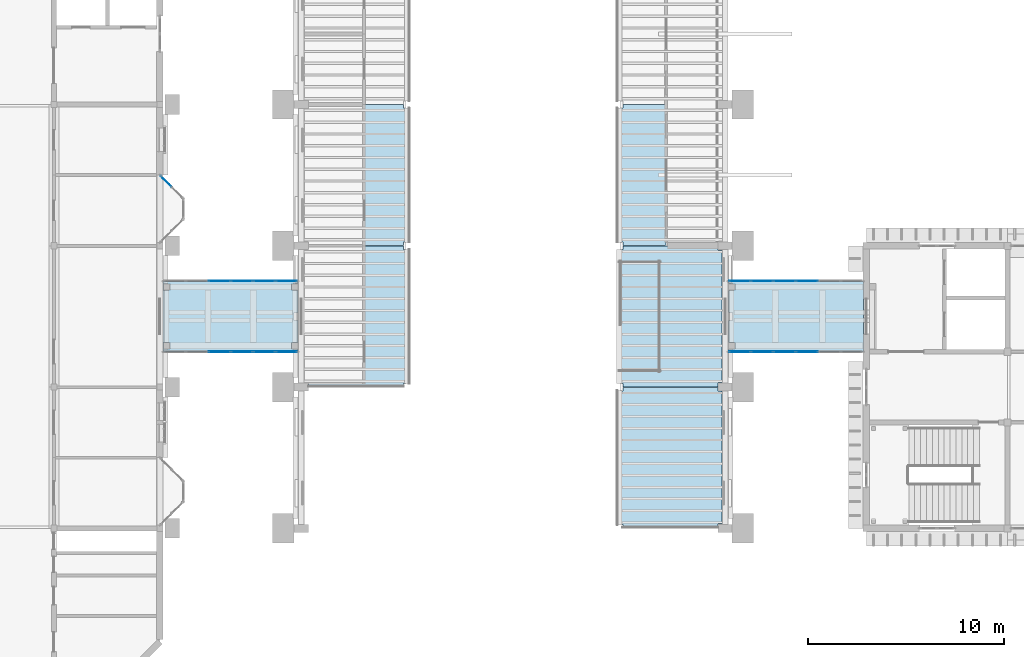
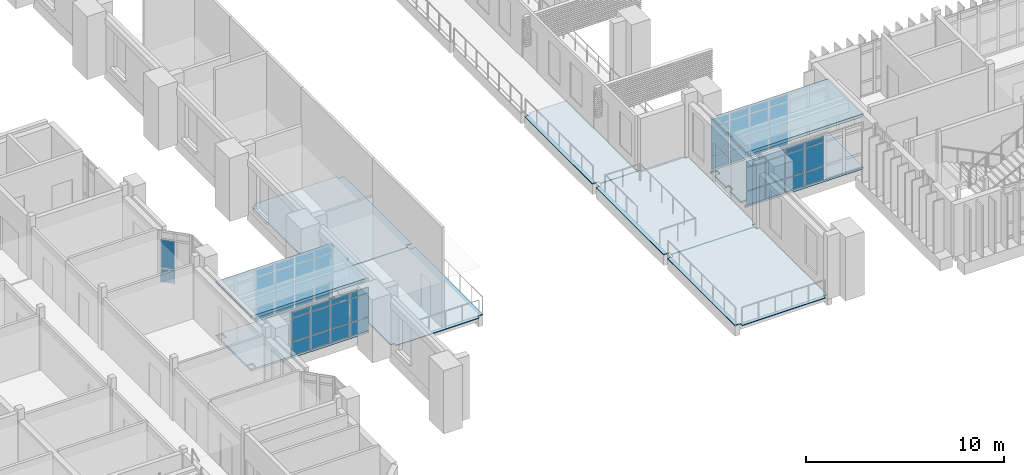
# One storey, part 28 of 69: 50 plates, 9 slabs, 5 elements without a shape of their own.
"""IFC4 building model written with IfcOpenShell, lengths in metres."""

from ifc_helpers import new_model, si_unit, direction, frame, origin, origin_2d, place, context, subcontext, project, spatial, polyline, rectangle, outline, extrude, material, layer, layer_set, type_object, element, aggregate, save


model = new_model("IFC4")

# Units and contexts
model_context = context("Model", 3, precision=1e-05, world=origin(), true_north=direction((0.0, 1.0)))
body_context = subcontext(model_context, "Body", "Model", "MODEL_VIEW")
ifc_project = project(units=[si_unit("LENGTHUNIT", "METRE"), si_unit("AREAUNIT", "SQUARE_METRE"), si_unit("VOLUMEUNIT", "CUBIC_METRE"), si_unit("PLANEANGLEUNIT", "RADIAN"), si_unit("MASSUNIT", "GRAM", prefix="KILO")], contexts=[model_context])

# Site, building, storey
site_placement = place(None, origin())
site = spatial("IfcSite", under=ifc_project, at=site_placement, CompositionType="ELEMENT")
building_placement = place(site_placement, origin())
building = spatial("IfcBuilding", under=site, at=building_placement, Name="Mazhai Court Health Centre", CompositionType="ELEMENT")
storey_placement = place(building_placement, frame((0.0, 0.0, 6.300048828125)))
storey = spatial("IfcBuildingStorey", under=building, at=storey_placement, Name="L01", CompositionType="ELEMENT", Elevation=6.300048828125)

# Slabs
ifc_material_1 = material(Name="CLT C24 5-ply", Category="wood")
ifc_layer_1 = layer(ifc_material_1, 0.1201171875)
ifc_layer_set_1 = layer_set([ifc_layer_1], Name="CLT C24 5-ply 120 floor panel")
slab_type_1 = type_object("IfcSlabType", Name="CLT C24 5-ply 120 floor panel", PredefinedType="FLOOR", material=ifc_layer_set_1)
slab_1_placement = place(storey_placement, frame((0.0, 0.0, -0.1201171875)))
element("IfcSlab", 1, at=slab_1_placement, inside=storey, type_object=slab_type_1, Name="slab-BR-P2", PredefinedType="FLOOR", context=body_context, shape_type="SweptSolid", body=[
    extrude(outline(polyline([(70.85009765625, 25.97998046875), (63.97509765625, 25.97998046875), (63.97509765625, 25.8701171875), (64.304931640625, 25.8701171875), (64.304931640625, 25.530029296875), (63.97509765625, 25.530029296875), (63.97509765625, 24.409912109375), (64.169921875, 24.409912109375), (64.169921875, 23.989990234375), (63.97509765625, 23.989990234375), (63.97509765625, 22.8701171875), (64.304931640625, 22.8701171875), (64.304931640625, 22.530029296875), (63.97509765625, 22.530029296875), (63.97509765625, 22.419921875), (70.85009765625, 22.419921875), (70.85009765625, 25.97998046875)])), origin(), (0.0, 0.0, 1.0), 0.1201171875),
])
slab_2_placement = place(storey_placement, frame((0.0, 0.0, -0.1201171875)))
element("IfcSlab", 2, at=slab_2_placement, inside=storey, type_object=slab_type_1, Name="slab-BR-P1", PredefinedType="FLOOR", context=body_context, shape_type="SweptSolid", body=[
    extrude(outline(polyline([(35.14990234375, 22.419921875), (42.02490234375, 22.419921875), (42.02490234375, 22.530029296875), (41.695068359375, 22.530029296875), (41.695068359375, 22.8701171875), (42.02490234375, 22.8701171875), (42.02490234375, 23.989990234375), (41.830078125, 23.989990234375), (41.830078125, 24.409912109375), (42.02490234375, 24.409912109375), (42.02490234375, 25.530029296875), (41.695068359375, 25.530029296875), (41.695068359375, 25.8701171875), (42.02490234375, 25.8701171875), (42.02490234375, 25.97998046875), (35.14990234375, 25.97998046875), (35.14990234375, 22.419921875)]), holes=[polyline([(35.169921875, 22.530029296875), (35.510009765625, 22.530029296875), (35.510009765625, 22.8701171875), (35.169921875, 22.8701171875), (35.169921875, 22.530029296875)]), polyline([(35.169921875, 25.530029296875), (35.510009765625, 25.530029296875), (35.510009765625, 25.8701171875), (35.169921875, 25.8701171875), (35.169921875, 25.530029296875)])]), origin(), (0.0, 0.0, 1.0), 0.1201171875),
])
ifc_material_2 = material(Name="CLT C24 5-ply", Category="wood")
ifc_layer_2 = layer(ifc_material_2, 0.179931640625)
ifc_layer_set_2 = layer_set([ifc_layer_2], Name="CLT C24 5-ply 180 roof panel")
slab_type_2 = type_object("IfcSlabType", Name="CLT C24 5-ply 180 roof panel", PredefinedType="ROOF", material=ifc_layer_set_2)
for number, where, z_axis, x_axis, name in (
    (3, (63.97509765625, 25.97998046875, 3.284912109375), (0.0, 0.0, 1.0), (0.0, -1.0, 0.0), "slab-BR-P2-roof"),
    (4, (42.02490234375, 22.419921875, 3.284912109375), (0.0, 0.0, 1.0), (0.0, 1.0, 0.0), "slab-BR-P1-roof"),
):
    element("IfcSlab", number, at=place(storey_placement, frame(where, z_axis=z_axis, x_axis=x_axis)), inside=storey, type_object=slab_type_2, Name=name, PredefinedType="ROOF", context=body_context, shape_type="SweptSolid", body=[
        extrude(outline(polyline([(0.0, 0.0), (1.570068359375, 0.0), (1.570068359375, 0.19482421875), (1.989990234375, 0.19482421875), (1.989990234375, 0.0), (3.56005859375, 0.0), (3.56005859375, 6.875), (0.0, 6.875), (0.0, 0.0)])), origin(), (0.0, 0.0, -1.0), 0.179931640625),
    ])

# Curtain wall, plates
ifc_material_3 = material(Name="Teak timber frame, glazed", Category="wood")
ifc_layer_3 = layer(ifc_material_3, 0.10009765625)
ifc_layer_set_3 = layer_set([ifc_layer_3], Name="CURTAIN WALL TIMBER 900")
curtain_wall_type_1 = type_object("IfcCurtainWallType", Name="CURTAIN WALL TIMBER 900", PredefinedType="NOTDEFINED", material=ifc_layer_set_3)
curtain_wall_1_placement = place(storey_placement, origin())
curtain_wall_1 = element("IfcCurtainWall", 5, at=curtain_wall_1_placement, inside=storey, type_object=curtain_wall_type_1, Name="CW-ORIEL-V5-L01-B30-2", PredefinedType="NOTDEFINED")
ifc_material_4 = material(Name="Glass IGU 28 mm", Category="glass")
ifc_layer_4 = layer(ifc_material_4, 0.028076171875)
ifc_layer_set_4 = layer_set([ifc_layer_4], Name="CW PANEL IGU 28")
plate_type = type_object("IfcPlateType", Name="CW PANEL IGU 28", PredefinedType="CURTAIN_PANEL", material=ifc_layer_set_4)
plate_1_placement = place(storey_placement, frame((35.310546875, 31.08935546875, 0.059814453125), z_axis=(0.0, 0.0, 1.0), x_axis=(-0.707106781187, 0.707106781187, 0.0)))
plate_1 = element("IfcPlate", 6, at=plate_1_placement, type_object=plate_type, Name="CW panel 2.1", PredefinedType="CURTAIN_PANEL", context=body_context, shape_type="SweptSolid", body=[
    extrude(rectangle(XDim=0.758544921875, YDim=0.028076171875, at=origin_2d()), origin(), (0.0, 0.0, 1.0), 0.81005859375),
])
plate_2_placement = place(storey_placement, frame((35.310546875, 31.08935546875, 0.93017578125), z_axis=(0.0, 0.0, 1.0), x_axis=(-0.707106781187, 0.707106781187, 0.0)))
plate_2 = element("IfcPlate", 7, at=plate_2_placement, type_object=plate_type, Name="CW panel 2.2", PredefinedType="CURTAIN_PANEL", context=body_context, shape_type="SweptSolid", body=[
    extrude(rectangle(XDim=0.758544921875, YDim=0.028076171875, at=origin_2d()), origin(), (0.0, 0.0, 1.0), 1.739990234375),
])
aggregate(curtain_wall_1, [plate_1, plate_2])

ifc_material_5 = material(Name="Teak timber frame, glazed", Category="wood")
ifc_layer_5 = layer(ifc_material_5, 0.10009765625)
ifc_layer_set_5 = layer_set([ifc_layer_5], Name="CURTAIN WALL TIMBER 1200")
curtain_wall_type_2 = type_object("IfcCurtainWallType", Name="CURTAIN WALL TIMBER 1200", PredefinedType="NOTDEFINED", material=ifc_layer_set_5)
curtain_wall_2_placement = place(storey_placement, origin())
curtain_wall_2 = element("IfcCurtainWall", 8, at=curtain_wall_2_placement, inside=storey, type_object=curtain_wall_type_2, Name="CW-BR-P2-S", PredefinedType="NOTDEFINED")
plate_3_placement = place(storey_placement, frame((64.552490234375, 22.39990234375, 0.059814453125), z_axis=(0.0, 0.0, 1.0), x_axis=(1.0, 0.0, 0.0)))
plate_3 = element("IfcPlate", 9, at=plate_3_placement, type_object=plate_type, Name="CW panel 1.1", PredefinedType="CURTAIN_PANEL", context=body_context, shape_type="SweptSolid", body=[
    extrude(rectangle(XDim=1.054931640625, YDim=0.028076171875, at=origin_2d()), origin(), (0.0, 0.0, 1.0), 0.81005859375),
])
plate_4_placement = place(storey_placement, frame((64.552490234375, 22.39990234375, 0.929931640625), z_axis=(0.0, 0.0, 1.0), x_axis=(1.0, 0.0, 0.0)))
plate_4 = element("IfcPlate", 10, at=plate_4_placement, type_object=plate_type, Name="CW panel 1.2", PredefinedType="CURTAIN_PANEL", context=body_context, shape_type="SweptSolid", body=[
    extrude(rectangle(XDim=1.054931640625, YDim=0.028076171875, at=origin_2d()), origin(), (0.0, 0.0, 1.0), 1.419921875),
])
plate_5_placement = place(storey_placement, frame((64.552490234375, 22.39990234375, 2.409912109375), z_axis=(0.0, 0.0, 1.0), x_axis=(1.0, 0.0, 0.0)))
plate_5 = element("IfcPlate", 11, at=plate_5_placement, type_object=plate_type, Name="CW panel 1.3", PredefinedType="CURTAIN_PANEL", context=body_context, shape_type="SweptSolid", body=[
    extrude(rectangle(XDim=1.054931640625, YDim=0.028076171875, at=origin_2d()), origin(), (0.0, 0.0, 1.0), 0.31005859375),
])
plate_6_placement = place(storey_placement, frame((65.6826171875, 22.39990234375, 0.059814453125), z_axis=(0.0, 0.0, 1.0), x_axis=(1.0, 0.0, 0.0)))
plate_6 = element("IfcPlate", 12, at=plate_6_placement, type_object=plate_type, Name="CW panel 2.1", PredefinedType="CURTAIN_PANEL", context=body_context, shape_type="SweptSolid", body=[
    extrude(rectangle(XDim=1.0849609375, YDim=0.028076171875, at=origin_2d()), origin(), (0.0, 0.0, 1.0), 0.81005859375),
])
plate_7_placement = place(storey_placement, frame((65.6826171875, 22.39990234375, 0.929931640625), z_axis=(0.0, 0.0, 1.0), x_axis=(1.0, 0.0, 0.0)))
plate_7 = element("IfcPlate", 13, at=plate_7_placement, type_object=plate_type, Name="CW panel 2.2", PredefinedType="CURTAIN_PANEL", context=body_context, shape_type="SweptSolid", body=[
    extrude(rectangle(XDim=1.0849609375, YDim=0.028076171875, at=origin_2d()), origin(), (0.0, 0.0, 1.0), 1.419921875),
])
plate_8_placement = place(storey_placement, frame((65.6826171875, 22.39990234375, 2.409912109375), z_axis=(0.0, 0.0, 1.0), x_axis=(1.0, 0.0, 0.0)))
plate_8 = element("IfcPlate", 14, at=plate_8_placement, type_object=plate_type, Name="CW panel 2.3", PredefinedType="CURTAIN_PANEL", context=body_context, shape_type="SweptSolid", body=[
    extrude(rectangle(XDim=1.0849609375, YDim=0.028076171875, at=origin_2d()), origin(), (0.0, 0.0, 1.0), 0.31005859375),
])
plate_9_placement = place(storey_placement, frame((66.827392578125, 22.39990234375, 0.059814453125), z_axis=(0.0, 0.0, 1.0), x_axis=(1.0, 0.0, 0.0)))
plate_9 = element("IfcPlate", 15, at=plate_9_placement, type_object=plate_type, Name="CW panel 3.1", PredefinedType="CURTAIN_PANEL", context=body_context, shape_type="SweptSolid", body=[
    extrude(rectangle(XDim=1.0849609375, YDim=0.028076171875, at=origin_2d()), origin(), (0.0, 0.0, 1.0), 0.81005859375),
])
plate_10_placement = place(storey_placement, frame((66.827392578125, 22.39990234375, 0.929931640625), z_axis=(0.0, 0.0, 1.0), x_axis=(1.0, 0.0, 0.0)))
plate_10 = element("IfcPlate", 16, at=plate_10_placement, type_object=plate_type, Name="CW panel 3.2", PredefinedType="CURTAIN_PANEL", context=body_context, shape_type="SweptSolid", body=[
    extrude(rectangle(XDim=1.0849609375, YDim=0.028076171875, at=origin_2d()), origin(), (0.0, 0.0, 1.0), 1.419921875),
])
plate_11_placement = place(storey_placement, frame((66.827392578125, 22.39990234375, 2.409912109375), z_axis=(0.0, 0.0, 1.0), x_axis=(1.0, 0.0, 0.0)))
plate_11 = element("IfcPlate", 17, at=plate_11_placement, type_object=plate_type, Name="CW panel 3.3", PredefinedType="CURTAIN_PANEL", context=body_context, shape_type="SweptSolid", body=[
    extrude(rectangle(XDim=1.0849609375, YDim=0.028076171875, at=origin_2d()), origin(), (0.0, 0.0, 1.0), 0.31005859375),
])
plate_12_placement = place(storey_placement, frame((67.972412109375, 22.39990234375, 0.059814453125), z_axis=(0.0, 0.0, 1.0), x_axis=(1.0, 0.0, 0.0)))
plate_12 = element("IfcPlate", 18, at=plate_12_placement, type_object=plate_type, Name="CW panel 4.1", PredefinedType="CURTAIN_PANEL", context=body_context, shape_type="SweptSolid", body=[
    extrude(rectangle(XDim=1.0849609375, YDim=0.028076171875, at=origin_2d()), origin(), (0.0, 0.0, 1.0), 0.81005859375),
])
plate_13_placement = place(storey_placement, frame((67.972412109375, 22.39990234375, 0.929931640625), z_axis=(0.0, 0.0, 1.0), x_axis=(1.0, 0.0, 0.0)))
plate_13 = element("IfcPlate", 19, at=plate_13_placement, type_object=plate_type, Name="CW panel 4.2", PredefinedType="CURTAIN_PANEL", context=body_context, shape_type="SweptSolid", body=[
    extrude(rectangle(XDim=1.0849609375, YDim=0.028076171875, at=origin_2d()), origin(), (0.0, 0.0, 1.0), 1.419921875),
])
plate_14_placement = place(storey_placement, frame((67.972412109375, 22.39990234375, 2.409912109375), z_axis=(0.0, 0.0, 1.0), x_axis=(1.0, 0.0, 0.0)))
plate_14 = element("IfcPlate", 20, at=plate_14_placement, type_object=plate_type, Name="CW panel 4.3", PredefinedType="CURTAIN_PANEL", context=body_context, shape_type="SweptSolid", body=[
    extrude(rectangle(XDim=1.0849609375, YDim=0.028076171875, at=origin_2d()), origin(), (0.0, 0.0, 1.0), 0.31005859375),
])
aggregate(curtain_wall_2, [plate_3, plate_4, plate_5, plate_6, plate_7, plate_8, plate_9, plate_10, plate_11, plate_12, plate_13, plate_14])

curtain_wall_3_placement = place(storey_placement, origin())
curtain_wall_3 = element("IfcCurtainWall", 21, at=curtain_wall_3_placement, inside=storey, type_object=curtain_wall_type_2, Name="CW-BR-P2-N", PredefinedType="NOTDEFINED")
plate_15_placement = place(storey_placement, frame((64.552490234375, 26.0, 0.059814453125), z_axis=(0.0, 0.0, 1.0), x_axis=(1.0, 0.0, 0.0)))
plate_15 = element("IfcPlate", 22, at=plate_15_placement, type_object=plate_type, Name="CW panel 1.1", PredefinedType="CURTAIN_PANEL", context=body_context, shape_type="SweptSolid", body=[
    extrude(rectangle(XDim=1.054931640625, YDim=0.028076171875, at=origin_2d()), origin(), (0.0, 0.0, 1.0), 0.81005859375),
])
plate_16_placement = place(storey_placement, frame((64.552490234375, 26.0, 0.93017578125), z_axis=(0.0, 0.0, 1.0), x_axis=(1.0, 0.0, 0.0)))
plate_16 = element("IfcPlate", 23, at=plate_16_placement, type_object=plate_type, Name="CW panel 1.2", PredefinedType="CURTAIN_PANEL", context=body_context, shape_type="SweptSolid", body=[
    extrude(rectangle(XDim=1.054931640625, YDim=0.028076171875, at=origin_2d()), origin(), (0.0, 0.0, 1.0), 1.739990234375),
])
plate_17_placement = place(storey_placement, frame((64.552490234375, 26.0, 2.72998046875), z_axis=(0.0, 0.0, 1.0), x_axis=(1.0, 0.0, 0.0)))
plate_17 = element("IfcPlate", 24, at=plate_17_placement, type_object=plate_type, Name="CW panel 1.3", PredefinedType="CURTAIN_PANEL", context=body_context, shape_type="SweptSolid", body=[
    extrude(rectangle(XDim=1.054931640625, YDim=0.028076171875, at=origin_2d()), origin(), (0.0, 0.0, 1.0), 0.409912109375),
])
plate_18_placement = place(storey_placement, frame((65.6826171875, 26.0, 0.059814453125), z_axis=(0.0, 0.0, 1.0), x_axis=(1.0, 0.0, 0.0)))
plate_18 = element("IfcPlate", 25, at=plate_18_placement, type_object=plate_type, Name="CW panel 2.1", PredefinedType="CURTAIN_PANEL", context=body_context, shape_type="SweptSolid", body=[
    extrude(rectangle(XDim=1.0849609375, YDim=0.028076171875, at=origin_2d()), origin(), (0.0, 0.0, 1.0), 0.81005859375),
])
plate_19_placement = place(storey_placement, frame((65.6826171875, 26.0, 0.93017578125), z_axis=(0.0, 0.0, 1.0), x_axis=(1.0, 0.0, 0.0)))
plate_19 = element("IfcPlate", 26, at=plate_19_placement, type_object=plate_type, Name="CW panel 2.2", PredefinedType="CURTAIN_PANEL", context=body_context, shape_type="SweptSolid", body=[
    extrude(rectangle(XDim=1.0849609375, YDim=0.028076171875, at=origin_2d()), origin(), (0.0, 0.0, 1.0), 1.739990234375),
])
plate_20_placement = place(storey_placement, frame((65.6826171875, 26.0, 2.72998046875), z_axis=(0.0, 0.0, 1.0), x_axis=(1.0, 0.0, 0.0)))
plate_20 = element("IfcPlate", 27, at=plate_20_placement, type_object=plate_type, Name="CW panel 2.3", PredefinedType="CURTAIN_PANEL", context=body_context, shape_type="SweptSolid", body=[
    extrude(rectangle(XDim=1.0849609375, YDim=0.028076171875, at=origin_2d()), origin(), (0.0, 0.0, 1.0), 0.409912109375),
])
plate_21_placement = place(storey_placement, frame((66.827392578125, 26.0, 0.059814453125), z_axis=(0.0, 0.0, 1.0), x_axis=(1.0, 0.0, 0.0)))
plate_21 = element("IfcPlate", 28, at=plate_21_placement, type_object=plate_type, Name="CW panel 3.1", PredefinedType="CURTAIN_PANEL", context=body_context, shape_type="SweptSolid", body=[
    extrude(rectangle(XDim=1.0849609375, YDim=0.028076171875, at=origin_2d()), origin(), (0.0, 0.0, 1.0), 0.81005859375),
])
plate_22_placement = place(storey_placement, frame((66.827392578125, 26.0, 0.93017578125), z_axis=(0.0, 0.0, 1.0), x_axis=(1.0, 0.0, 0.0)))
plate_22 = element("IfcPlate", 29, at=plate_22_placement, type_object=plate_type, Name="CW panel 3.2", PredefinedType="CURTAIN_PANEL", context=body_context, shape_type="SweptSolid", body=[
    extrude(rectangle(XDim=1.0849609375, YDim=0.028076171875, at=origin_2d()), origin(), (0.0, 0.0, 1.0), 1.739990234375),
])
plate_23_placement = place(storey_placement, frame((66.827392578125, 26.0, 2.72998046875), z_axis=(0.0, 0.0, 1.0), x_axis=(1.0, 0.0, 0.0)))
plate_23 = element("IfcPlate", 30, at=plate_23_placement, type_object=plate_type, Name="CW panel 3.3", PredefinedType="CURTAIN_PANEL", context=body_context, shape_type="SweptSolid", body=[
    extrude(rectangle(XDim=1.0849609375, YDim=0.028076171875, at=origin_2d()), origin(), (0.0, 0.0, 1.0), 0.409912109375),
])
plate_24_placement = place(storey_placement, frame((67.972412109375, 26.0, 0.059814453125), z_axis=(0.0, 0.0, 1.0), x_axis=(1.0, 0.0, 0.0)))
plate_24 = element("IfcPlate", 31, at=plate_24_placement, type_object=plate_type, Name="CW panel 4.1", PredefinedType="CURTAIN_PANEL", context=body_context, shape_type="SweptSolid", body=[
    extrude(rectangle(XDim=1.0849609375, YDim=0.028076171875, at=origin_2d()), origin(), (0.0, 0.0, 1.0), 0.81005859375),
])
plate_25_placement = place(storey_placement, frame((67.972412109375, 26.0, 0.93017578125), z_axis=(0.0, 0.0, 1.0), x_axis=(1.0, 0.0, 0.0)))
plate_25 = element("IfcPlate", 32, at=plate_25_placement, type_object=plate_type, Name="CW panel 4.2", PredefinedType="CURTAIN_PANEL", context=body_context, shape_type="SweptSolid", body=[
    extrude(rectangle(XDim=1.0849609375, YDim=0.028076171875, at=origin_2d()), origin(), (0.0, 0.0, 1.0), 1.739990234375),
])
plate_26_placement = place(storey_placement, frame((67.972412109375, 26.0, 2.72998046875), z_axis=(0.0, 0.0, 1.0), x_axis=(1.0, 0.0, 0.0)))
plate_26 = element("IfcPlate", 33, at=plate_26_placement, type_object=plate_type, Name="CW panel 4.3", PredefinedType="CURTAIN_PANEL", context=body_context, shape_type="SweptSolid", body=[
    extrude(rectangle(XDim=1.0849609375, YDim=0.028076171875, at=origin_2d()), origin(), (0.0, 0.0, 1.0), 0.409912109375),
])
aggregate(curtain_wall_3, [plate_15, plate_16, plate_17, plate_18, plate_19, plate_20, plate_21, plate_22, plate_23, plate_24, plate_25, plate_26])

curtain_wall_4_placement = place(storey_placement, origin())
curtain_wall_4 = element("IfcCurtainWall", 34, at=curtain_wall_4_placement, inside=storey, type_object=curtain_wall_type_2, Name="CW-BR-P1-S", PredefinedType="NOTDEFINED")
plate_27_placement = place(storey_placement, frame((38.027587890625, 22.39990234375, 0.059814453125), z_axis=(0.0, 0.0, 1.0), x_axis=(1.0, 0.0, 0.0)))
plate_27 = element("IfcPlate", 35, at=plate_27_placement, type_object=plate_type, Name="CW panel 3.1", PredefinedType="CURTAIN_PANEL", context=body_context, shape_type="SweptSolid", body=[
    extrude(rectangle(XDim=1.0849609375, YDim=0.028076171875, at=origin_2d()), origin(), (0.0, 0.0, 1.0), 0.81005859375),
])
plate_28_placement = place(storey_placement, frame((38.027587890625, 22.39990234375, 0.929931640625), z_axis=(0.0, 0.0, 1.0), x_axis=(1.0, 0.0, 0.0)))
plate_28 = element("IfcPlate", 36, at=plate_28_placement, type_object=plate_type, Name="CW panel 3.2", PredefinedType="CURTAIN_PANEL", context=body_context, shape_type="SweptSolid", body=[
    extrude(rectangle(XDim=1.0849609375, YDim=0.028076171875, at=origin_2d()), origin(), (0.0, 0.0, 1.0), 1.419921875),
])
plate_29_placement = place(storey_placement, frame((38.027587890625, 22.39990234375, 2.409912109375), z_axis=(0.0, 0.0, 1.0), x_axis=(1.0, 0.0, 0.0)))
plate_29 = element("IfcPlate", 37, at=plate_29_placement, type_object=plate_type, Name="CW panel 3.3", PredefinedType="CURTAIN_PANEL", context=body_context, shape_type="SweptSolid", body=[
    extrude(rectangle(XDim=1.0849609375, YDim=0.028076171875, at=origin_2d()), origin(), (0.0, 0.0, 1.0), 0.31005859375),
])
plate_30_placement = place(storey_placement, frame((39.172607421875, 22.39990234375, 0.059814453125), z_axis=(0.0, 0.0, 1.0), x_axis=(1.0, 0.0, 0.0)))
plate_30 = element("IfcPlate", 38, at=plate_30_placement, type_object=plate_type, Name="CW panel 4.1", PredefinedType="CURTAIN_PANEL", context=body_context, shape_type="SweptSolid", body=[
    extrude(rectangle(XDim=1.0849609375, YDim=0.028076171875, at=origin_2d()), origin(), (0.0, 0.0, 1.0), 0.81005859375),
])
plate_31_placement = place(storey_placement, frame((39.172607421875, 22.39990234375, 0.929931640625), z_axis=(0.0, 0.0, 1.0), x_axis=(1.0, 0.0, 0.0)))
plate_31 = element("IfcPlate", 39, at=plate_31_placement, type_object=plate_type, Name="CW panel 4.2", PredefinedType="CURTAIN_PANEL", context=body_context, shape_type="SweptSolid", body=[
    extrude(rectangle(XDim=1.0849609375, YDim=0.028076171875, at=origin_2d()), origin(), (0.0, 0.0, 1.0), 1.419921875),
])
plate_32_placement = place(storey_placement, frame((39.172607421875, 22.39990234375, 2.409912109375), z_axis=(0.0, 0.0, 1.0), x_axis=(1.0, 0.0, 0.0)))
plate_32 = element("IfcPlate", 40, at=plate_32_placement, type_object=plate_type, Name="CW panel 4.3", PredefinedType="CURTAIN_PANEL", context=body_context, shape_type="SweptSolid", body=[
    extrude(rectangle(XDim=1.0849609375, YDim=0.028076171875, at=origin_2d()), origin(), (0.0, 0.0, 1.0), 0.31005859375),
])
plate_33_placement = place(storey_placement, frame((40.3173828125, 22.39990234375, 0.059814453125), z_axis=(0.0, 0.0, 1.0), x_axis=(1.0, 0.0, 0.0)))
plate_33 = element("IfcPlate", 41, at=plate_33_placement, type_object=plate_type, Name="CW panel 5.1", PredefinedType="CURTAIN_PANEL", context=body_context, shape_type="SweptSolid", body=[
    extrude(rectangle(XDim=1.0849609375, YDim=0.028076171875, at=origin_2d()), origin(), (0.0, 0.0, 1.0), 0.81005859375),
])
plate_34_placement = place(storey_placement, frame((40.3173828125, 22.39990234375, 0.929931640625), z_axis=(0.0, 0.0, 1.0), x_axis=(1.0, 0.0, 0.0)))
plate_34 = element("IfcPlate", 42, at=plate_34_placement, type_object=plate_type, Name="CW panel 5.2", PredefinedType="CURTAIN_PANEL", context=body_context, shape_type="SweptSolid", body=[
    extrude(rectangle(XDim=1.0849609375, YDim=0.028076171875, at=origin_2d()), origin(), (0.0, 0.0, 1.0), 1.419921875),
])
plate_35_placement = place(storey_placement, frame((40.3173828125, 22.39990234375, 2.409912109375), z_axis=(0.0, 0.0, 1.0), x_axis=(1.0, 0.0, 0.0)))
plate_35 = element("IfcPlate", 43, at=plate_35_placement, type_object=plate_type, Name="CW panel 5.3", PredefinedType="CURTAIN_PANEL", context=body_context, shape_type="SweptSolid", body=[
    extrude(rectangle(XDim=1.0849609375, YDim=0.028076171875, at=origin_2d()), origin(), (0.0, 0.0, 1.0), 0.31005859375),
])
plate_36_placement = place(storey_placement, frame((41.447509765625, 22.39990234375, 0.059814453125), z_axis=(0.0, 0.0, 1.0), x_axis=(1.0, 0.0, 0.0)))
plate_36 = element("IfcPlate", 44, at=plate_36_placement, type_object=plate_type, Name="CW panel 6.1", PredefinedType="CURTAIN_PANEL", context=body_context, shape_type="SweptSolid", body=[
    extrude(rectangle(XDim=1.054931640625, YDim=0.028076171875, at=origin_2d()), origin(), (0.0, 0.0, 1.0), 0.81005859375),
])
plate_37_placement = place(storey_placement, frame((41.447509765625, 22.39990234375, 0.929931640625), z_axis=(0.0, 0.0, 1.0), x_axis=(1.0, 0.0, 0.0)))
plate_37 = element("IfcPlate", 45, at=plate_37_placement, type_object=plate_type, Name="CW panel 6.2", PredefinedType="CURTAIN_PANEL", context=body_context, shape_type="SweptSolid", body=[
    extrude(rectangle(XDim=1.054931640625, YDim=0.028076171875, at=origin_2d()), origin(), (0.0, 0.0, 1.0), 1.419921875),
])
plate_38_placement = place(storey_placement, frame((41.447509765625, 22.39990234375, 2.409912109375), z_axis=(0.0, 0.0, 1.0), x_axis=(1.0, 0.0, 0.0)))
plate_38 = element("IfcPlate", 46, at=plate_38_placement, type_object=plate_type, Name="CW panel 6.3", PredefinedType="CURTAIN_PANEL", context=body_context, shape_type="SweptSolid", body=[
    extrude(rectangle(XDim=1.054931640625, YDim=0.028076171875, at=origin_2d()), origin(), (0.0, 0.0, 1.0), 0.31005859375),
])
aggregate(curtain_wall_4, [plate_27, plate_28, plate_29, plate_30, plate_31, plate_32, plate_33, plate_34, plate_35, plate_36, plate_37, plate_38])

curtain_wall_5_placement = place(storey_placement, origin())
curtain_wall_5 = element("IfcCurtainWall", 47, at=curtain_wall_5_placement, inside=storey, type_object=curtain_wall_type_2, Name="CW-BR-P1-N", PredefinedType="NOTDEFINED")
plate_39_placement = place(storey_placement, frame((38.027587890625, 26.0, 0.059814453125), z_axis=(0.0, 0.0, 1.0), x_axis=(1.0, 0.0, 0.0)))
plate_39 = element("IfcPlate", 48, at=plate_39_placement, type_object=plate_type, Name="CW panel 3.1", PredefinedType="CURTAIN_PANEL", context=body_context, shape_type="SweptSolid", body=[
    extrude(rectangle(XDim=1.0849609375, YDim=0.028076171875, at=origin_2d()), origin(), (0.0, 0.0, 1.0), 0.81005859375),
])
plate_40_placement = place(storey_placement, frame((38.027587890625, 26.0, 0.93017578125), z_axis=(0.0, 0.0, 1.0), x_axis=(1.0, 0.0, 0.0)))
plate_40 = element("IfcPlate", 49, at=plate_40_placement, type_object=plate_type, Name="CW panel 3.2", PredefinedType="CURTAIN_PANEL", context=body_context, shape_type="SweptSolid", body=[
    extrude(rectangle(XDim=1.0849609375, YDim=0.028076171875, at=origin_2d()), origin(), (0.0, 0.0, 1.0), 1.739990234375),
])
plate_41_placement = place(storey_placement, frame((38.027587890625, 26.0, 2.72998046875), z_axis=(0.0, 0.0, 1.0), x_axis=(1.0, 0.0, 0.0)))
plate_41 = element("IfcPlate", 50, at=plate_41_placement, type_object=plate_type, Name="CW panel 3.3", PredefinedType="CURTAIN_PANEL", context=body_context, shape_type="SweptSolid", body=[
    extrude(rectangle(XDim=1.0849609375, YDim=0.028076171875, at=origin_2d()), origin(), (0.0, 0.0, 1.0), 0.409912109375),
])
plate_42_placement = place(storey_placement, frame((39.172607421875, 26.0, 0.059814453125), z_axis=(0.0, 0.0, 1.0), x_axis=(1.0, 0.0, 0.0)))
plate_42 = element("IfcPlate", 51, at=plate_42_placement, type_object=plate_type, Name="CW panel 4.1", PredefinedType="CURTAIN_PANEL", context=body_context, shape_type="SweptSolid", body=[
    extrude(rectangle(XDim=1.0849609375, YDim=0.028076171875, at=origin_2d()), origin(), (0.0, 0.0, 1.0), 0.81005859375),
])
plate_43_placement = place(storey_placement, frame((39.172607421875, 26.0, 0.93017578125), z_axis=(0.0, 0.0, 1.0), x_axis=(1.0, 0.0, 0.0)))
plate_43 = element("IfcPlate", 52, at=plate_43_placement, type_object=plate_type, Name="CW panel 4.2", PredefinedType="CURTAIN_PANEL", context=body_context, shape_type="SweptSolid", body=[
    extrude(rectangle(XDim=1.0849609375, YDim=0.028076171875, at=origin_2d()), origin(), (0.0, 0.0, 1.0), 1.739990234375),
])
plate_44_placement = place(storey_placement, frame((39.172607421875, 26.0, 2.72998046875), z_axis=(0.0, 0.0, 1.0), x_axis=(1.0, 0.0, 0.0)))
plate_44 = element("IfcPlate", 53, at=plate_44_placement, type_object=plate_type, Name="CW panel 4.3", PredefinedType="CURTAIN_PANEL", context=body_context, shape_type="SweptSolid", body=[
    extrude(rectangle(XDim=1.0849609375, YDim=0.028076171875, at=origin_2d()), origin(), (0.0, 0.0, 1.0), 0.409912109375),
])
plate_45_placement = place(storey_placement, frame((40.3173828125, 26.0, 0.059814453125), z_axis=(0.0, 0.0, 1.0), x_axis=(1.0, 0.0, 0.0)))
plate_45 = element("IfcPlate", 54, at=plate_45_placement, type_object=plate_type, Name="CW panel 5.1", PredefinedType="CURTAIN_PANEL", context=body_context, shape_type="SweptSolid", body=[
    extrude(rectangle(XDim=1.0849609375, YDim=0.028076171875, at=origin_2d()), origin(), (0.0, 0.0, 1.0), 0.81005859375),
])
plate_46_placement = place(storey_placement, frame((40.3173828125, 26.0, 0.93017578125), z_axis=(0.0, 0.0, 1.0), x_axis=(1.0, 0.0, 0.0)))
plate_46 = element("IfcPlate", 55, at=plate_46_placement, type_object=plate_type, Name="CW panel 5.2", PredefinedType="CURTAIN_PANEL", context=body_context, shape_type="SweptSolid", body=[
    extrude(rectangle(XDim=1.0849609375, YDim=0.028076171875, at=origin_2d()), origin(), (0.0, 0.0, 1.0), 1.739990234375),
])
plate_47_placement = place(storey_placement, frame((40.3173828125, 26.0, 2.72998046875), z_axis=(0.0, 0.0, 1.0), x_axis=(1.0, 0.0, 0.0)))
plate_47 = element("IfcPlate", 56, at=plate_47_placement, type_object=plate_type, Name="CW panel 5.3", PredefinedType="CURTAIN_PANEL", context=body_context, shape_type="SweptSolid", body=[
    extrude(rectangle(XDim=1.0849609375, YDim=0.028076171875, at=origin_2d()), origin(), (0.0, 0.0, 1.0), 0.409912109375),
])
plate_48_placement = place(storey_placement, frame((41.447509765625, 26.0, 0.059814453125), z_axis=(0.0, 0.0, 1.0), x_axis=(1.0, 0.0, 0.0)))
plate_48 = element("IfcPlate", 57, at=plate_48_placement, type_object=plate_type, Name="CW panel 6.1", PredefinedType="CURTAIN_PANEL", context=body_context, shape_type="SweptSolid", body=[
    extrude(rectangle(XDim=1.054931640625, YDim=0.028076171875, at=origin_2d()), origin(), (0.0, 0.0, 1.0), 0.81005859375),
])
plate_49_placement = place(storey_placement, frame((41.447509765625, 26.0, 0.93017578125), z_axis=(0.0, 0.0, 1.0), x_axis=(1.0, 0.0, 0.0)))
plate_49 = element("IfcPlate", 58, at=plate_49_placement, type_object=plate_type, Name="CW panel 6.2", PredefinedType="CURTAIN_PANEL", context=body_context, shape_type="SweptSolid", body=[
    extrude(rectangle(XDim=1.054931640625, YDim=0.028076171875, at=origin_2d()), origin(), (0.0, 0.0, 1.0), 1.739990234375),
])
plate_50_placement = place(storey_placement, frame((41.447509765625, 26.0, 2.72998046875), z_axis=(0.0, 0.0, 1.0), x_axis=(1.0, 0.0, 0.0)))
plate_50 = element("IfcPlate", 59, at=plate_50_placement, type_object=plate_type, Name="CW panel 6.3", PredefinedType="CURTAIN_PANEL", context=body_context, shape_type="SweptSolid", body=[
    extrude(rectangle(XDim=1.054931640625, YDim=0.028076171875, at=origin_2d()), origin(), (0.0, 0.0, 1.0), 0.409912109375),
])
aggregate(curtain_wall_5, [plate_39, plate_40, plate_41, plate_42, plate_43, plate_44, plate_45, plate_46, plate_47, plate_48, plate_49, plate_50])

# Slabs
ifc_material_6 = material(Name="Plywood EN 636-3", Category="wood")
ifc_layer_6 = layer(ifc_material_6, 0.0400390625)
ifc_layer_set_6 = layer_set([ifc_layer_6], Name="Plywood EN 636-3 40 gallery deck")
slab_type_3 = type_object("IfcSlabType", Name="Plywood EN 636-3 40 gallery deck", PredefinedType="FLOOR", material=ifc_layer_set_6)
slab_3_placement = place(storey_placement, frame((0.0, 0.0, -0.0400390625)))
element("IfcSlab", 60, at=slab_3_placement, inside=storey, type_object=slab_type_3, Name="slab-V1-L01-W1", PredefinedType="FLOOR", context=body_context, shape_type="SweptSolid", body=[
    extrude(outline(polyline([(47.739990234375, 20.7900390625), (47.739990234375, 27.610107421875), (47.409912109375, 27.610107421875), (47.409912109375, 27.7900390625), (42.570068359375, 27.7900390625), (42.570068359375, 27.590087890625), (42.364990234375, 27.590087890625), (42.364990234375, 20.81005859375), (42.570068359375, 20.81005859375), (42.570068359375, 20.610107421875), (47.409912109375, 20.610107421875), (47.409912109375, 20.7900390625), (47.739990234375, 20.7900390625)])), origin(), (0.0, 0.0, 1.0), 0.0400390625),
])
slab_4_placement = place(storey_placement, frame((0.0, 0.0, -0.0400390625)))
element("IfcSlab", 61, at=slab_4_placement, inside=storey, type_object=slab_type_3, Name="slab-V1-L01-W2", PredefinedType="FLOOR", context=body_context, shape_type="SweptSolid", body=[
    extrude(outline(polyline([(47.739990234375, 27.989990234375), (47.739990234375, 34.81005859375), (47.409912109375, 34.81005859375), (47.409912109375, 34.989990234375), (42.570068359375, 34.989990234375), (42.570068359375, 34.7900390625), (42.364990234375, 34.7900390625), (42.364990234375, 28.010009765625), (42.570068359375, 28.010009765625), (42.570068359375, 27.81005859375), (47.409912109375, 27.81005859375), (47.409912109375, 27.989990234375), (47.739990234375, 27.989990234375)])), origin(), (0.0, 0.0, 1.0), 0.0400390625),
])
slab_5_placement = place(storey_placement, frame((0.0, 0.0, -0.0400390625)))
element("IfcSlab", 62, at=slab_5_placement, inside=storey, type_object=slab_type_3, Name="slab-V1-L01-E0", PredefinedType="FLOOR", context=body_context, shape_type="SweptSolid", body=[
    extrude(outline(polyline([(63.635009765625, 13.610107421875), (63.635009765625, 20.389892578125), (63.429931640625, 20.389892578125), (63.429931640625, 20.590087890625), (58.590087890625, 20.590087890625), (58.590087890625, 20.409912109375), (58.260009765625, 20.409912109375), (58.260009765625, 13.590087890625), (58.590087890625, 13.590087890625), (58.590087890625, 13.409912109375), (63.429931640625, 13.409912109375), (63.429931640625, 13.610107421875), (63.635009765625, 13.610107421875)])), origin(), (0.0, 0.0, 1.0), 0.0400390625),
])
slab_6_placement = place(storey_placement, frame((0.0, 0.0, -0.0400390625)))
element("IfcSlab", 63, at=slab_6_placement, inside=storey, type_object=slab_type_3, Name="slab-V1-L01-E1", PredefinedType="FLOOR", context=body_context, shape_type="SweptSolid", body=[
    extrude(outline(polyline([(63.635009765625, 20.81005859375), (63.635009765625, 27.590087890625), (63.429931640625, 27.590087890625), (63.429931640625, 27.7900390625), (58.590087890625, 27.7900390625), (58.590087890625, 27.610107421875), (58.260009765625, 27.610107421875), (58.260009765625, 20.7900390625), (58.590087890625, 20.7900390625), (58.590087890625, 20.610107421875), (63.429931640625, 20.610107421875), (63.429931640625, 20.81005859375), (63.635009765625, 20.81005859375)])), origin(), (0.0, 0.0, 1.0), 0.0400390625),
])
slab_7_placement = place(storey_placement, frame((0.0, 0.0, -0.0400390625)))
element("IfcSlab", 64, at=slab_7_placement, inside=storey, type_object=slab_type_3, Name="slab-V1-L01-E2", PredefinedType="FLOOR", context=body_context, shape_type="SweptSolid", body=[
    extrude(outline(polyline([(58.590087890625, 27.81005859375), (60.800048828125, 27.81005859375), (60.800048828125, 34.989990234375), (58.590087890625, 34.989990234375), (58.590087890625, 34.81005859375), (58.260009765625, 34.81005859375), (58.260009765625, 27.989990234375), (58.590087890625, 27.989990234375), (58.590087890625, 27.81005859375)])), origin(), (0.0, 0.0, 1.0), 0.0400390625),
])

save(model, "model.ifc")
